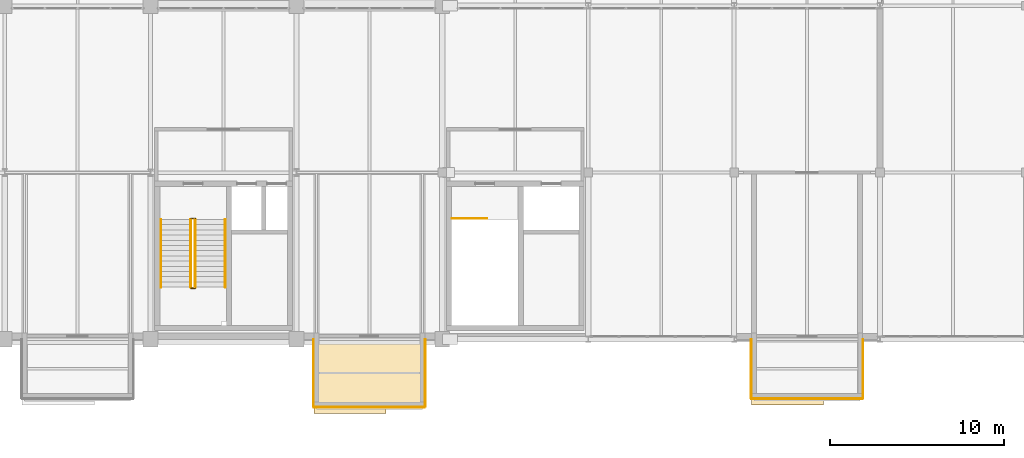
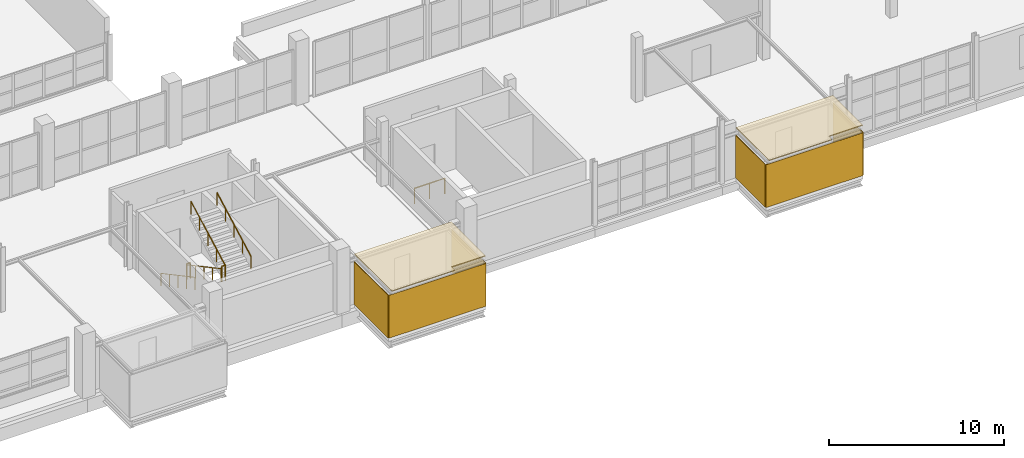
# One storey, part 100 of 103: 8 coverings, 7 railings.
"""IFC4 building model written with IfcOpenShell, lengths in metres."""

from ifc_helpers import new_model, si_unit, direction, frame, frame_2d, origin, origin_2d, place, context, subcontext, project, spatial, polyline, rectangle, circle, outline, extrude, material, layer, layer_set, type_object, element, save


model = new_model("IFC4")

# Units and contexts
model_context = context("Model", 3, precision=1e-05, world=origin(), true_north=direction((0.0, 1.0)))
body_context = subcontext(model_context, "Body", "Model", "MODEL_VIEW")
ifc_project = project(units=[si_unit("LENGTHUNIT", "METRE"), si_unit("AREAUNIT", "SQUARE_METRE"), si_unit("VOLUMEUNIT", "CUBIC_METRE"), si_unit("PLANEANGLEUNIT", "RADIAN"), si_unit("MASSUNIT", "GRAM", prefix="KILO")], contexts=[model_context])

# Site, building, storey
site_placement = place(None, origin())
site = spatial("IfcSite", under=ifc_project, at=site_placement, CompositionType="ELEMENT")
building_placement = place(site_placement, origin())
building = spatial("IfcBuilding", under=site, at=building_placement, Name="Veltarok Museum of Natural Sciences", CompositionType="ELEMENT")
storey_placement = place(building_placement, frame((0.0, 0.0, 21.89990234375)))
storey = spatial("IfcBuildingStorey", under=building, at=storey_placement, Name="L04", CompositionType="ELEMENT", Elevation=21.89990234375)

# Coverings
ifc_material_1 = material(Name="Corrugated zinc cladding")
ifc_layer_1 = layer(ifc_material_1, 0.044921875)
ifc_layer_set_1 = layer_set([ifc_layer_1], Name="Corrugated zinc cladding")
covering_type_1 = type_object("IfcCoveringType", Name="Corrugated Titanium-Zinc Rainscreen Cladding 45", PredefinedType="CLADDING", material=ifc_layer_set_1)
covering_1_placement = place(storey_placement, frame((99.800048828125, -3.922119140625, 0.0), z_axis=(0.0, 0.0, 1.0), x_axis=(1.0, 0.0, 0.0)))
element("IfcCovering", 1, at=covering_1_placement, inside=storey, type_object=covering_type_1, Name="Corrugated Zinc Cladding DB-23-S", PredefinedType="CLADDING", context=body_context, shape_type="SweptSolid", body=[
    extrude(rectangle(XDim=6.39990234375, YDim=0.044921875, at=frame_2d((3.199951171875, 0.0))), origin(), (0.0, 0.0, 1.0), 2.989990234375),
])
for number, where, z_axis, x_axis, name in (
    (2, (99.778076171875, 0.0, 0.0), (0.0, 0.0, 1.0), (0.0, -1.0, 0.0), "Corrugated Zinc Cladding DB-23-W"),
    (3, (106.221923828125, -3.89990234375, 0.0), (0.0, 0.0, 1.0), (0.0, 1.0, 0.0), "Corrugated Zinc Cladding DB-23-E"),
):
    element("IfcCovering", number, at=place(storey_placement, frame(where, z_axis=z_axis, x_axis=x_axis)), inside=storey, type_object=covering_type_1, Name=name, PredefinedType="CLADDING", context=body_context, shape_type="SweptSolid", body=[
        extrude(rectangle(XDim=3.89990234375, YDim=0.044921875, at=frame_2d((1.949951171875, 0.0))), origin(), (0.0, 0.0, 1.0), 2.989990234375),
    ])
covering_2_placement = place(storey_placement, frame((125.0, -3.422119140625, 0.0), z_axis=(0.0, 0.0, 1.0), x_axis=(1.0, 0.0, 0.0)))
element("IfcCovering", 4, at=covering_2_placement, inside=storey, type_object=covering_type_1, Name="Corrugated Zinc Cladding DB-24-S", PredefinedType="CLADDING", context=body_context, shape_type="SweptSolid", body=[
    extrude(rectangle(XDim=6.39990234375, YDim=0.044921875, at=frame_2d((3.199951171875, 0.0))), origin(), (0.0, 0.0, 1.0), 2.989990234375),
])
for number, where, z_axis, x_axis, name in (
    (5, (124.97802734375, 0.0, 0.0), (0.0, 0.0, 1.0), (0.0, -1.0, 0.0), "Corrugated Zinc Cladding DB-24-W"),
    (6, (131.422119140625, -3.39990234375, 0.0), (0.0, 0.0, 1.0), (0.0, 1.0, 0.0), "Corrugated Zinc Cladding DB-24-E"),
):
    element("IfcCovering", number, at=place(storey_placement, frame(where, z_axis=z_axis, x_axis=x_axis)), inside=storey, type_object=covering_type_1, Name=name, PredefinedType="CLADDING", context=body_context, shape_type="SweptSolid", body=[
        extrude(rectangle(XDim=3.39990234375, YDim=0.044921875, at=frame_2d((1.699951171875, 0.0))), origin(), (0.0, 0.0, 1.0), 2.989990234375),
    ])
ifc_material_2 = material(Name="EPDM waterproofing membrane")
ifc_layer_2 = layer(ifc_material_2, 0.06005859375)
ifc_layer_set_2 = layer_set([ifc_layer_2], Name="EPDM waterproofing membrane")
covering_type_2 = type_object("IfcCoveringType", Name="EPDM Waterproofing and Acoustic Roof Membrane 60", PredefinedType="ROOFING", material=ifc_layer_set_2)
covering_3_placement = place(storey_placement, frame((0.0, 0.0, 3.4501953125)))
element("IfcCovering", 7, at=covering_3_placement, inside=storey, type_object=covering_type_2, Name="Cabinet Box Roof Membrane DB-23", PredefinedType="ROOFING", context=body_context, shape_type="SweptSolid", body=[
    extrude(outline(polyline([(99.800048828125, -4.280029296875), (103.9599609375, -4.280029296875), (103.9599609375, -3.89990234375), (106.199951171875, -3.89990234375), (106.199951171875, 0.0), (99.800048828125, 0.0), (99.800048828125, -4.280029296875)])), origin(), (0.0, 0.0, 1.0), 0.059814453125),
])
covering_4_placement = place(storey_placement, frame((0.0, 0.0, 3.4501953125)))
element("IfcCovering", 8, at=covering_4_placement, inside=storey, type_object=covering_type_2, Name="Cabinet Box Roof Membrane DB-24", PredefinedType="ROOFING", context=body_context, shape_type="SweptSolid", body=[
    extrude(outline(polyline([(125.0, -3.780029296875), (129.159912109375, -3.780029296875), (129.159912109375, -3.39990234375), (131.39990234375, -3.39990234375), (131.39990234375, 0.0), (125.0, 0.0), (125.0, -3.780029296875)])), origin(), (0.0, 0.0, 1.0), 0.059814453125),
])

# Railings
ifc_material_3 = material(Name="Steel S355J2", Category="steel")
railing_type_1 = type_object("IfcRailingType", Name="Interior Atrium and Stairwell Guardrail 1100", PredefinedType="GUARDRAIL", material=ifc_material_3)
for number, where, name in (
    (9, (92.72998046875, 6.949951171875, 0.0), "Stairwell Floor Guard ST-02 L04"),
    (10, (92.72998046875, 2.93994140625, 2.25), "Landing Well Guard ST-02-L04-L1"),
):
    element("IfcRailing", number, at=place(storey_placement, frame(where)), inside=storey, type_object=railing_type_1, Name=name, PredefinedType="GUARDRAIL", context=body_context, shape_type="SweptSolid", body=[
        extrude(circle(Radius=0.02392578125, at=origin_2d()), frame((0.0, 0.0, 1.076171875), z_axis=(1.0, 0.0, 0.0), x_axis=(0.0, 1.0, 0.0)), (0.0, 0.0, 1.0), 0.239990234375),
        extrude(circle(Radius=0.02099609375, at=origin_2d()), origin(), (0.0, 0.0, 1.0), 1.052001953125),
        extrude(circle(Radius=0.02099609375, at=origin_2d()), frame((0.239990234375, 0.0, 0.0)), (0.0, 0.0, 1.0), 1.052001953125),
    ])
railing_placement = place(storey_placement, frame((107.77001953125, 6.949951171875, 0.0)))
element("IfcRailing", 11, at=railing_placement, inside=storey, type_object=railing_type_1, Name="Top Stairwell Guard ST-04 L04", PredefinedType="GUARDRAIL", context=body_context, shape_type="SweptSolid", body=[
    extrude(circle(Radius=0.02392578125, at=origin_2d()), frame((0.0, 0.0, 1.076171875), z_axis=(1.0, 0.0, 0.0), x_axis=(0.0, 1.0, 0.0)), (0.0, 0.0, 1.0), 2.0),
    extrude(circle(Radius=0.02099609375, at=origin_2d()), origin(), (0.0, 0.0, 1.0), 1.052001953125),
    extrude(circle(Radius=0.02099609375, at=origin_2d()), frame((1.0, 0.0, 0.0)), (0.0, 0.0, 1.0), 1.052001953125),
    extrude(circle(Radius=0.02099609375, at=origin_2d()), frame((2.0, 0.0, 0.0)), (0.0, 0.0, 1.0), 1.052001953125),
])
railing_type_2 = type_object("IfcRailingType", Name="Stair Flight Tubular Steel Handrail 900", PredefinedType="HANDRAIL", material=ifc_material_3)
for number, where, name in (
    (12, (91.0, 6.89990234375, 0.160888671875), "Stair Handrail ST-02-L04-F1L"),
    (13, (92.719970703125, 6.89990234375, 0.160888671875), "Stair Handrail ST-02-L04-F1R"),
):
    element("IfcRailing", number, at=place(storey_placement, frame(where)), inside=storey, type_object=railing_type_2, Name=name, PredefinedType="HANDRAIL", context=body_context, shape_type="SweptSolid", body=[
        extrude(circle(Radius=0.02392578125, at=origin_2d()), frame((0.0, 0.0, 0.8759765625), z_axis=(0.0, -0.881491454809, 0.472199973632), x_axis=(1.0, 0.0, 0.0)), (0.0, 0.0, 1.0), 4.42431640625),
        extrude(circle(Radius=0.02099609375, at=origin_2d()), origin(), (0.0, 0.0, 1.0), 0.851806640625),
        extrude(circle(Radius=0.02099609375, at=origin_2d()), frame((0.0, -0.97509765625, 0.522216796875)), (0.0, 0.0, 1.0), 0.851806640625),
        extrude(circle(Radius=0.02099609375, at=origin_2d()), frame((0.0, -1.949951171875, 1.04443359375)), (0.0, 0.0, 1.0), 0.851806640625),
        extrude(circle(Radius=0.02099609375, at=origin_2d()), frame((0.0, -2.9248046875, 1.56689453125)), (0.0, 0.0, 1.0), 0.851806640625),
        extrude(circle(Radius=0.02099609375, at=origin_2d()), frame((0.0, -3.89990234375, 2.089111328125)), (0.0, 0.0, 1.0), 0.851806640625),
    ])
for number, where, name in (
    (14, (92.97998046875, 3.0, 2.410888671875), "Stair Handrail ST-02-L04-F2L"),
    (15, (94.699951171875, 3.0, 2.410888671875), "Stair Handrail ST-02-L04-F2R"),
):
    element("IfcRailing", number, at=place(storey_placement, frame(where)), inside=storey, type_object=railing_type_2, Name=name, PredefinedType="HANDRAIL", context=body_context, shape_type="SweptSolid", body=[
        extrude(circle(Radius=0.02392578125, at=origin_2d()), frame((0.0, 0.0, 0.8759765625), z_axis=(0.0, 0.881491454809, 0.472199973632), x_axis=(-1.0, 0.0, 0.0)), (0.0, 0.0, 1.0), 4.42431640625),
        extrude(circle(Radius=0.02099609375, at=origin_2d()), origin(), (0.0, 0.0, 1.0), 0.851806640625),
        extrude(circle(Radius=0.02099609375, at=origin_2d()), frame((0.0, 0.97509765625, 0.522216796875)), (0.0, 0.0, 1.0), 0.851806640625),
        extrude(circle(Radius=0.02099609375, at=origin_2d()), frame((0.0, 1.949951171875, 1.04443359375)), (0.0, 0.0, 1.0), 0.851806640625),
        extrude(circle(Radius=0.02099609375, at=origin_2d()), frame((0.0, 2.9248046875, 1.56689453125)), (0.0, 0.0, 1.0), 0.851806640625),
        extrude(circle(Radius=0.02099609375, at=origin_2d()), frame((0.0, 3.89990234375, 2.089111328125)), (0.0, 0.0, 1.0), 0.851806640625),
    ])

save(model, "model.ifc")
